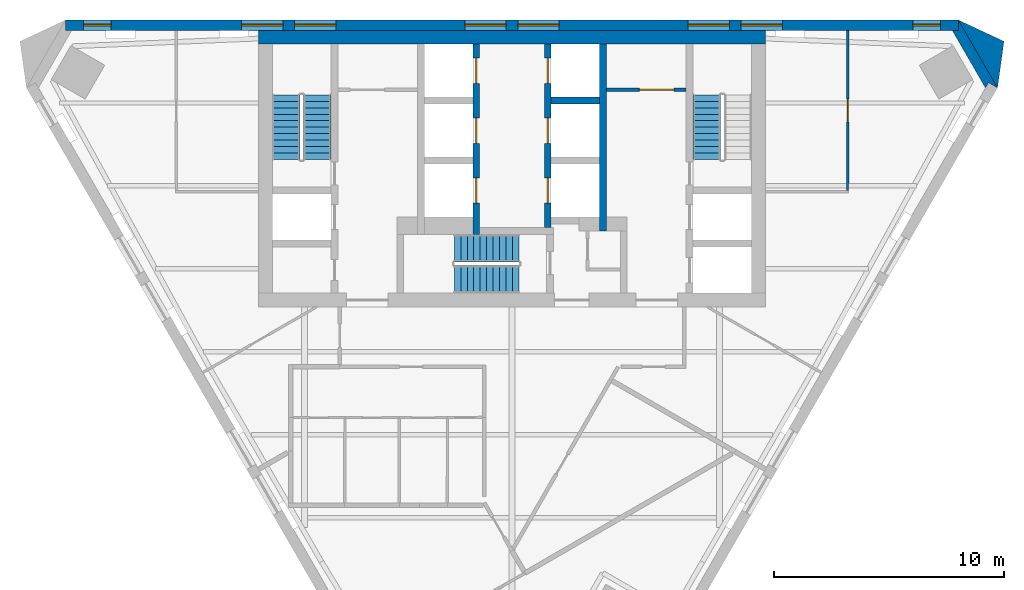
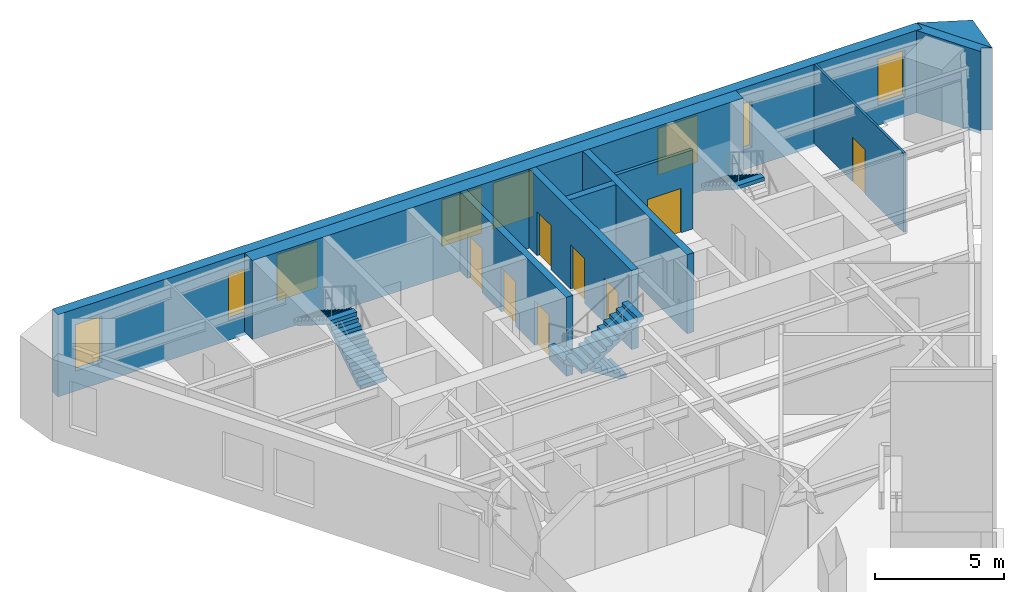
# One storey, part 5 of 7: 10 walls, 8 doors, 8 windows, 5 stair flights, 16 openings, 3 elements without a shape of their own.
"""IFC4 building model written with IfcOpenShell, lengths in metres."""

from ifc_helpers import new_model, si_unit, direction, frame, frame_2d, origin, place, context, subcontext, project, spatial, polyline, rectangle, outline, extrude, material, layer, layer_set, type_object, element, fill, aggregate, save


model = new_model("IFC4")

# Units and contexts
model_context = context("Model", 3, precision=1e-05, world=origin(), true_north=direction((0.0, 1.0)))
body_context = subcontext(model_context, "Body", "Model", "MODEL_VIEW")
ifc_project = project(units=[si_unit("LENGTHUNIT", "METRE"), si_unit("AREAUNIT", "SQUARE_METRE"), si_unit("VOLUMEUNIT", "CUBIC_METRE"), si_unit("PLANEANGLEUNIT", "RADIAN"), si_unit("MASSUNIT", "GRAM", prefix="KILO")], contexts=[model_context])

# Site, building, storey
site_placement = place(None, origin())
site = spatial("IfcSite", under=ifc_project, at=site_placement, CompositionType="ELEMENT")
building_placement = place(site_placement, origin())
building = spatial("IfcBuilding", under=site, at=building_placement, Name="Aloe Facet Convention Tower", CompositionType="ELEMENT")
storey_placement = place(building_placement, frame((0.0, 0.0, 215.300048828125)))
storey = spatial("IfcBuildingStorey", under=building, at=storey_placement, Name="L54", CompositionType="ELEMENT", Elevation=215.300048828125)

# Wall, opening, door
ifc_material_1 = material(Name="Concrete blockwork partition", Category="masonry")
ifc_layer_1 = layer(ifc_material_1, 0.14990234375)
ifc_layer_set_1 = layer_set([ifc_layer_1], Name="CR-W-PART150")
wall_type_1 = type_object("IfcWallType", Name="CR-W-PART150", PredefinedType="PARTITIONING", material=ifc_layer_set_1)
wall_1_placement = place(storey_placement, frame((84.10009765625, 131.97509765625, 0.0), z_axis=(0.0, 0.0, 1.0), x_axis=(1.0, 0.0, 0.0)))
wall_1 = element("IfcWall", 1, at=wall_1_placement, inside=storey, type_object=wall_type_1, Name="Core partition L54-025", PredefinedType="PARTITIONING", context=body_context, shape_type="SweptSolid", body=[
    extrude(rectangle(XDim=3.449951171875, YDim=0.14990234375, at=frame_2d((1.72509765625, 0.0))), origin(), (0.0, 0.0, 1.0), 3.75),
])
opening_1_placement = place(wall_1_placement, frame((1.425048828125, 0.0, 0.0)))
opening_1 = element("IfcOpeningElement", 2, at=opening_1_placement, cuts=wall_1, Name="Opening L54-CD13", PredefinedType="OPENING", context=body_context, shape_type="SweptSolid", body=[
    extrude(rectangle(XDim=1.5, YDim=2.10009765625, at=frame_2d((0.75, 1.050048828125))), frame((0.0, 0.0849609375, 0.0), z_axis=(0.0, -1.0, 0.0), x_axis=(1.0, 0.0, 0.0)), (0.0, 0.0, 1.0), 0.169921875),
])
ifc_material_2 = material(Name="Steel fire-resisting door set FD60", Category="steel")
door_type_1 = type_object("IfcDoorType", Name="CR-D-REFUGE-1500-FD60-DD", OperationType="DOUBLE_DOOR_DOUBLE_SWING", PredefinedType="DOOR", material=ifc_material_2)
door_1_placement = place(opening_1_placement, origin())
door_1 = element("IfcDoor", 3, at=door_1_placement, inside=storey, type_object=door_type_1, Name="Core door L54-CD13", OperationType="DOUBLE_DOOR_DOUBLE_SWING", OverallHeight=2.10009765625, OverallWidth=1.5, PredefinedType="DOOR", context=body_context, shape_type="SweptSolid", body=[
    extrude(rectangle(XDim=1.5, YDim=2.10009765625, at=frame_2d((0.75, 1.050048828125))), frame((0.0, 0.02490234375, 0.0), z_axis=(0.0, -1.0, 0.0), x_axis=(1.0, 0.0, 0.0)), (0.0, 0.0, 1.0), 0.050048828125),
])
fill(opening_1, door_1)

# Wall, openings, doors
ifc_material_3 = material(Name="Concrete C50/60", Category="concrete")
ifc_layer_2 = layer(ifc_material_3, 0.300048828125)
ifc_layer_set_2 = layer_set([ifc_layer_2], Name="CR-W-RC300-C5060")
wall_type_2 = type_object("IfcWallType", Name="CR-W-RC300-C5060", PredefinedType="SOLIDWALL", material=ifc_layer_set_2)
wall_2_placement = place(storey_placement, frame((78.449951171875, 133.949951171875, 0.0), z_axis=(0.0, 0.0, 1.0), x_axis=(0.0, -1.0, 0.0)))
wall_2 = element("IfcWall", 4, at=wall_2_placement, inside=storey, type_object=wall_type_2, Name="Core wall L54-014", PredefinedType="SOLIDWALL", context=body_context, shape_type="SweptSolid", body=[
    extrude(rectangle(XDim=8.25, YDim=0.300048828125, at=frame_2d((4.125, 0.0))), origin(), (0.0, 0.0, 1.0), 3.75),
])
opening_2_placement = place(wall_2_placement, frame((0.60009765625, 0.0, 0.0)))
opening_2 = element("IfcOpeningElement", 5, at=opening_2_placement, cuts=wall_2, Name="Opening LD-B1-L54", PredefinedType="OPENING", context=body_context, shape_type="SweptSolid", body=[
    extrude(rectangle(XDim=1.10009765625, YDim=2.10009765625, at=frame_2d((0.550048828125, 1.050048828125))), frame((0.0, 0.16015625, 0.0), z_axis=(0.0, -1.0, 0.0), x_axis=(1.0, 0.0, 0.0)), (0.0, 0.0, 1.0), 0.320068359375),
])
opening_3_placement = place(wall_2_placement, frame((3.199951171875, 0.0, 0.0)))
opening_3 = element("IfcOpeningElement", 6, at=opening_3_placement, cuts=wall_2, Name="Opening LD-B2-L54", PredefinedType="OPENING", context=body_context, shape_type="SweptSolid", body=[
    extrude(rectangle(XDim=1.10009765625, YDim=2.10009765625, at=frame_2d((0.550048828125, 1.050048828125))), frame((0.0, 0.16015625, 0.0), z_axis=(0.0, -1.0, 0.0), x_axis=(1.0, 0.0, 0.0)), (0.0, 0.0, 1.0), 0.320068359375),
])
opening_4_placement = place(wall_2_placement, frame((5.800048828125, 0.0, 0.0)))
opening_4 = element("IfcOpeningElement", 7, at=opening_4_placement, cuts=wall_2, Name="Opening LD-B3-L54", PredefinedType="OPENING", context=body_context, shape_type="SweptSolid", body=[
    extrude(rectangle(XDim=1.10009765625, YDim=2.10009765625, at=frame_2d((0.550048828125, 1.050048828125))), frame((0.0, 0.16015625, 0.0), z_axis=(0.0, -1.0, 0.0), x_axis=(1.0, 0.0, 0.0)), (0.0, 0.0, 1.0), 0.320068359375),
])
ifc_material_4 = material(Name="Stainless steel sliding landing door", Category="steel")
door_type_2 = type_object("IfcDoorType", Name="CR-LD-1100-FD60-RIGHT", OperationType="SLIDING_TO_RIGHT", PredefinedType="DOOR", material=ifc_material_4)
door_2_placement = place(opening_2_placement, origin())
door_2 = element("IfcDoor", 8, at=door_2_placement, inside=storey, type_object=door_type_2, Name="Landing door B1 L54", OperationType="SLIDING_TO_RIGHT", OverallHeight=2.10009765625, OverallWidth=1.10009765625, PredefinedType="DOOR", context=body_context, shape_type="SweptSolid", body=[
    extrude(rectangle(XDim=1.10009765625, YDim=2.10009765625, at=frame_2d((0.550048828125, 1.050048828125))), frame((0.0, 0.02490234375, 0.0), z_axis=(0.0, -1.0, 0.0), x_axis=(1.0, 0.0, 0.0)), (0.0, 0.0, 1.0), 0.050048828125),
])
fill(opening_2, door_2)
door_3_placement = place(opening_3_placement, origin())
door_3 = element("IfcDoor", 9, at=door_3_placement, inside=storey, type_object=door_type_2, Name="Landing door B2 L54", OperationType="SLIDING_TO_RIGHT", OverallHeight=2.10009765625, OverallWidth=1.10009765625, PredefinedType="DOOR", context=body_context, shape_type="SweptSolid", body=[
    extrude(rectangle(XDim=1.10009765625, YDim=2.10009765625, at=frame_2d((0.550048828125, 1.050048828125))), frame((0.0, 0.02490234375, 0.0), z_axis=(0.0, -1.0, 0.0), x_axis=(1.0, 0.0, 0.0)), (0.0, 0.0, 1.0), 0.050048828125),
])
fill(opening_3, door_3)
door_4_placement = place(opening_4_placement, origin())
door_4 = element("IfcDoor", 10, at=door_4_placement, inside=storey, type_object=door_type_2, Name="Landing door B3 L54", OperationType="SLIDING_TO_RIGHT", OverallHeight=2.10009765625, OverallWidth=1.10009765625, PredefinedType="DOOR", context=body_context, shape_type="SweptSolid", body=[
    extrude(rectangle(XDim=1.10009765625, YDim=2.10009765625, at=frame_2d((0.550048828125, 1.050048828125))), frame((0.0, 0.02490234375, 0.0), z_axis=(0.0, -1.0, 0.0), x_axis=(1.0, 0.0, 0.0)), (0.0, 0.0, 1.0), 0.050048828125),
])
fill(opening_4, door_4)

wall_3_placement = place(storey_placement, frame((81.550048828125, 133.949951171875, 0.0), z_axis=(0.0, 0.0, 1.0), x_axis=(0.0, -1.0, 0.0)))
wall_3 = element("IfcWall", 11, at=wall_3_placement, inside=storey, type_object=wall_type_2, Name="Core wall L54-016", PredefinedType="SOLIDWALL", context=body_context, shape_type="SweptSolid", body=[
    extrude(rectangle(XDim=7.949951171875, YDim=0.300048828125, at=frame_2d((3.97509765625, 0.0))), origin(), (0.0, 0.0, 1.0), 3.75),
])
opening_5_placement = place(wall_3_placement, frame((0.60009765625, 0.0, 0.0)))
opening_5 = element("IfcOpeningElement", 12, at=opening_5_placement, cuts=wall_3, Name="Opening LD-B4-L54", PredefinedType="OPENING", context=body_context, shape_type="SweptSolid", body=[
    extrude(rectangle(XDim=1.10009765625, YDim=2.10009765625, at=frame_2d((0.550048828125, 1.050048828125))), frame((0.0, 0.16015625, 0.0), z_axis=(0.0, -1.0, 0.0), x_axis=(1.0, 0.0, 0.0)), (0.0, 0.0, 1.0), 0.320068359375),
])
opening_6_placement = place(wall_3_placement, frame((3.199951171875, 0.0, 0.0)))
opening_6 = element("IfcOpeningElement", 13, at=opening_6_placement, cuts=wall_3, Name="Opening LD-B5-L54", PredefinedType="OPENING", context=body_context, shape_type="SweptSolid", body=[
    extrude(rectangle(XDim=1.10009765625, YDim=2.10009765625, at=frame_2d((0.550048828125, 1.050048828125))), frame((0.0, 0.16015625, 0.0), z_axis=(0.0, -1.0, 0.0), x_axis=(1.0, 0.0, 0.0)), (0.0, 0.0, 1.0), 0.320068359375),
])
opening_7_placement = place(wall_3_placement, frame((5.800048828125, 0.0, 0.0)))
opening_7 = element("IfcOpeningElement", 14, at=opening_7_placement, cuts=wall_3, Name="Opening LD-B6-L54", PredefinedType="OPENING", context=body_context, shape_type="SweptSolid", body=[
    extrude(rectangle(XDim=1.10009765625, YDim=2.10009765625, at=frame_2d((0.550048828125, 1.050048828125))), frame((0.0, 0.16015625, 0.0), z_axis=(0.0, -1.0, 0.0), x_axis=(1.0, 0.0, 0.0)), (0.0, 0.0, 1.0), 0.320068359375),
])
ifc_material_5 = material(Name="Stainless steel sliding landing door", Category="steel")
door_type_3 = type_object("IfcDoorType", Name="CR-LD-1100-FD60-_LEFT", OperationType="SLIDING_TO_LEFT", PredefinedType="DOOR", material=ifc_material_5)
door_5_placement = place(opening_5_placement, origin())
door_5 = element("IfcDoor", 15, at=door_5_placement, inside=storey, type_object=door_type_3, Name="Landing door B4 L54", OperationType="SLIDING_TO_LEFT", OverallHeight=2.10009765625, OverallWidth=1.10009765625, PredefinedType="DOOR", context=body_context, shape_type="SweptSolid", body=[
    extrude(rectangle(XDim=1.10009765625, YDim=2.10009765625, at=frame_2d((0.550048828125, 1.050048828125))), frame((0.0, 0.02490234375, 0.0), z_axis=(0.0, -1.0, 0.0), x_axis=(1.0, 0.0, 0.0)), (0.0, 0.0, 1.0), 0.050048828125),
])
fill(opening_5, door_5)
door_6_placement = place(opening_6_placement, origin())
door_6 = element("IfcDoor", 16, at=door_6_placement, inside=storey, type_object=door_type_3, Name="Landing door B5 L54", OperationType="SLIDING_TO_LEFT", OverallHeight=2.10009765625, OverallWidth=1.10009765625, PredefinedType="DOOR", context=body_context, shape_type="SweptSolid", body=[
    extrude(rectangle(XDim=1.10009765625, YDim=2.10009765625, at=frame_2d((0.550048828125, 1.050048828125))), frame((0.0, 0.02490234375, 0.0), z_axis=(0.0, -1.0, 0.0), x_axis=(1.0, 0.0, 0.0)), (0.0, 0.0, 1.0), 0.050048828125),
])
fill(opening_6, door_6)
door_7_placement = place(opening_7_placement, origin())
door_7 = element("IfcDoor", 17, at=door_7_placement, inside=storey, type_object=door_type_3, Name="Landing door B6 L54", OperationType="SLIDING_TO_LEFT", OverallHeight=2.10009765625, OverallWidth=1.10009765625, PredefinedType="DOOR", context=body_context, shape_type="SweptSolid", body=[
    extrude(rectangle(XDim=1.10009765625, YDim=2.10009765625, at=frame_2d((0.550048828125, 1.050048828125))), frame((0.0, 0.02490234375, 0.0), z_axis=(0.0, -1.0, 0.0), x_axis=(1.0, 0.0, 0.0)), (0.0, 0.0, 1.0), 0.050048828125),
])
fill(opening_7, door_7)

# Walls
wall_4_placement = place(storey_placement, frame((81.699951171875, 131.5, 0.0), z_axis=(0.0, 0.0, 1.0), x_axis=(1.0, 0.0, 0.0)))
element("IfcWall", 18, at=wall_4_placement, inside=storey, type_object=wall_type_2, Name="Core wall L54-018", PredefinedType="SOLIDWALL", context=body_context, shape_type="SweptSolid", body=[
    extrude(rectangle(XDim=2.10009765625, YDim=0.300048828125, at=frame_2d((1.050048828125, 0.0))), origin(), (0.0, 0.0, 1.0), 3.75),
])
wall_5_placement = place(storey_placement, frame((83.949951171875, 133.949951171875, 0.0), z_axis=(0.0, 0.0, 1.0), x_axis=(0.0, -1.0, 0.0)))
element("IfcWall", 19, at=wall_5_placement, inside=storey, type_object=wall_type_2, Name="Core wall L54-024", PredefinedType="SOLIDWALL", context=body_context, shape_type="SweptSolid", body=[
    extrude(rectangle(XDim=8.099853515625, YDim=0.300048828125, at=frame_2d((4.0498046875, 0.0))), origin(), (0.0, 0.0, 1.0), 3.75),
])
ifc_material_6 = material(Name="Concrete C50/60", Category="concrete")
ifc_layer_3 = layer(ifc_material_6, 0.60009765625)
ifc_layer_set_3 = layer_set([ifc_layer_3], Name="CR-W-RC600-C5060")
wall_type_3 = type_object("IfcWallType", Name="CR-W-RC600-C5060", PredefinedType="SOLIDWALL", material=ifc_layer_set_3)
wall_6_placement = place(storey_placement, frame((69.0, 134.25, 0.0), z_axis=(0.0, 0.0, 1.0), x_axis=(1.0, 0.0, 0.0)))
element("IfcWall", 20, at=wall_6_placement, inside=storey, type_object=wall_type_3, Name="Core wall L54-001", PredefinedType="SOLIDWALL", context=body_context, shape_type="SweptSolid", body=[
    extrude(rectangle(XDim=22.0, YDim=0.60009765625, at=frame_2d((11.0, 0.0))), origin(), (0.0, 0.0, 1.0), 3.75),
])
ifc_material_7 = material(Name="Precast concrete C40/50", Category="concrete")
ifc_layer_4 = layer(ifc_material_7, 0.449951171875)
ifc_layer_set_4 = layer_set([ifc_layer_4], Name="EV-WALL-PIER")
wall_type_4 = type_object("IfcWallType", Name="EV-WALL-PIER", PredefinedType="SOLIDWALL", material=ifc_layer_set_4)
wall_7_placement = place(storey_placement, frame((0.0, 0.0, -0.150146484375)))
element("IfcWall", 21, at=wall_7_placement, inside=storey, type_object=wall_type_4, Name="EP-L54-C", PredefinedType="SOLIDWALL", context=body_context, shape_type="SweptSolid", body=[
    extrude(outline(polyline([(101.064697265625, 132.055419921875), (100.6748046875, 132.280517578125), (100.544921875, 132.055419921875), (99.104736328125, 134.550048828125), (99.364501953125, 134.550048828125), (99.364501953125, 135.0), (101.064697265625, 132.055419921875)])), origin(), (0.0, 0.0, 1.0), 3.900146484375),
])
ifc_material_8 = material(Name="Precast concrete C40/50", Category="concrete")
ifc_layer_5 = layer(ifc_material_8, 3.947998046875)
ifc_layer_set_5 = layer_set([ifc_layer_5], Name="EV-WALL-SPINE")
wall_type_5 = type_object("IfcWallType", Name="EV-WALL-SPINE", PredefinedType="SOLIDWALL", material=ifc_layer_set_5)
wall_8_placement = place(storey_placement, frame((0.0, 0.0, -0.150146484375)))
element("IfcWall", 22, at=wall_8_placement, inside=storey, type_object=wall_type_5, Name="SP-NE-L54", PredefinedType="SOLIDWALL", context=body_context, shape_type="SweptSolid", body=[
    extrude(outline(polyline([(101.064697265625, 132.055419921875), (101.345947265625, 134.0732421875), (99.364501953125, 135.0), (101.064697265625, 132.055419921875)])), origin(), (0.0, 0.0, 1.0), 3.900146484375),
])

# Wall, openings, windows
ifc_material_9 = material(Name="Precast concrete C40/50", Category="concrete")
ifc_layer_6 = layer(ifc_material_9, 0.449951171875)
ifc_layer_set_6 = layer_set([ifc_layer_6], Name="EV-WALL-STONE")
wall_type_6 = type_object("IfcWallType", Name="EV-WALL-STONE", PredefinedType="SOLIDWALL", material=ifc_layer_set_6)
wall_9_placement = place(storey_placement, frame((99.364501953125, 134.77490234375, -0.150146484375), z_axis=(0.0, 0.0, 1.0), x_axis=(-1.0, 0.0, 0.0)))
wall_9 = element("IfcWall", 23, at=wall_9_placement, inside=storey, type_object=wall_type_6, Name="EW-L54-N01", PredefinedType="SOLIDWALL", context=body_context, shape_type="SweptSolid", body=[
    extrude(outline(polyline([(38.729248046875, 0.0), (38.729248046875, 3.900146484375), (0.0, 3.900146484375), (0.0, 0.0), (38.729248046875, 0.0)])), frame((0.0, 0.22509765625, 0.0), z_axis=(0.0, -1.0, 0.0), x_axis=(1.0, 0.0, 0.0)), (0.0, 0.0, 1.0), 0.449951171875),
])
opening_8_placement = place(wall_9_placement, frame((0.776123046875, 0.0, 0.949951171875)))
opening_8 = element("IfcOpeningElement", 24, at=opening_8_placement, cuts=wall_9, Name="Opening W-L54-N01", PredefinedType="OPENING", context=body_context, shape_type="SweptSolid", body=[
    extrude(rectangle(XDim=1.199951171875, YDim=2.199951171875, at=frame_2d((0.60009765625, 1.10009765625))), frame((0.0, 0.23486328125, 0.0), z_axis=(0.0, -1.0, 0.0), x_axis=(1.0, 0.0, 0.0)), (0.0, 0.0, 1.0), 0.469970703125),
])
opening_9_placement = place(wall_9_placement, frame((7.63232421875, 0.0, 0.949951171875)))
opening_9 = element("IfcOpeningElement", 25, at=opening_9_placement, cuts=wall_9, Name="Opening W-L54-N02", PredefinedType="OPENING", context=body_context, shape_type="SweptSolid", body=[
    extrude(rectangle(XDim=1.800048828125, YDim=2.199951171875, at=frame_2d((0.89990234375, 1.10009765625))), frame((0.0, 0.23486328125, 0.0), z_axis=(0.0, -1.0, 0.0), x_axis=(1.0, 0.0, 0.0)), (0.0, 0.0, 1.0), 0.469970703125),
])
opening_10_placement = place(wall_9_placement, frame((9.932373046875, 0.0, 0.949951171875)))
opening_10 = element("IfcOpeningElement", 26, at=opening_10_placement, cuts=wall_9, Name="Opening W-L54-N03", PredefinedType="OPENING", context=body_context, shape_type="SweptSolid", body=[
    extrude(rectangle(XDim=1.800048828125, YDim=2.199951171875, at=frame_2d((0.89990234375, 1.10009765625))), frame((0.0, 0.23486328125, 0.0), z_axis=(0.0, -1.0, 0.0), x_axis=(1.0, 0.0, 0.0)), (0.0, 0.0, 1.0), 0.469970703125),
])
opening_11_placement = place(wall_9_placement, frame((17.314697265625, 0.0, 0.949951171875)))
opening_11 = element("IfcOpeningElement", 27, at=opening_11_placement, cuts=wall_9, Name="Opening W-L54-N04", PredefinedType="OPENING", context=body_context, shape_type="SweptSolid", body=[
    extrude(rectangle(XDim=1.800048828125, YDim=2.199951171875, at=frame_2d((0.89990234375, 1.10009765625))), frame((0.0, 0.23486328125, 0.0), z_axis=(0.0, -1.0, 0.0), x_axis=(1.0, 0.0, 0.0)), (0.0, 0.0, 1.0), 0.469970703125),
])
opening_12_placement = place(wall_9_placement, frame((19.614501953125, 0.0, 0.949951171875)))
opening_12 = element("IfcOpeningElement", 28, at=opening_12_placement, cuts=wall_9, Name="Opening W-L54-N05", PredefinedType="OPENING", context=body_context, shape_type="SweptSolid", body=[
    extrude(rectangle(XDim=1.800048828125, YDim=2.199951171875, at=frame_2d((0.89990234375, 1.10009765625))), frame((0.0, 0.23486328125, 0.0), z_axis=(0.0, -1.0, 0.0), x_axis=(1.0, 0.0, 0.0)), (0.0, 0.0, 1.0), 0.469970703125),
])
opening_13_placement = place(wall_9_placement, frame((26.996826171875, 0.0, 0.949951171875)))
opening_13 = element("IfcOpeningElement", 29, at=opening_13_placement, cuts=wall_9, Name="Opening W-L54-N06", PredefinedType="OPENING", context=body_context, shape_type="SweptSolid", body=[
    extrude(rectangle(XDim=1.800048828125, YDim=2.199951171875, at=frame_2d((0.89990234375, 1.10009765625))), frame((0.0, 0.23486328125, 0.0), z_axis=(0.0, -1.0, 0.0), x_axis=(1.0, 0.0, 0.0)), (0.0, 0.0, 1.0), 0.469970703125),
])
opening_14_placement = place(wall_9_placement, frame((29.296875, 0.0, 0.949951171875)))
opening_14 = element("IfcOpeningElement", 30, at=opening_14_placement, cuts=wall_9, Name="Opening W-L54-N07", PredefinedType="OPENING", context=body_context, shape_type="SweptSolid", body=[
    extrude(rectangle(XDim=1.800048828125, YDim=2.199951171875, at=frame_2d((0.89990234375, 1.10009765625))), frame((0.0, 0.23486328125, 0.0), z_axis=(0.0, -1.0, 0.0), x_axis=(1.0, 0.0, 0.0)), (0.0, 0.0, 1.0), 0.469970703125),
])
opening_15_placement = place(wall_9_placement, frame((36.753173828125, 0.0, 0.949951171875)))
opening_15 = element("IfcOpeningElement", 31, at=opening_15_placement, cuts=wall_9, Name="Opening W-L54-N08", PredefinedType="OPENING", context=body_context, shape_type="SweptSolid", body=[
    extrude(rectangle(XDim=1.199951171875, YDim=2.199951171875, at=frame_2d((0.60009765625, 1.10009765625))), frame((0.0, 0.23486328125, 0.0), z_axis=(0.0, -1.0, 0.0), x_axis=(1.0, 0.0, 0.0)), (0.0, 0.0, 1.0), 0.469970703125),
])
ifc_material_10 = material(Name="Aluminium frame, clear double glazing", Category="aluminium")
window_type_1 = type_object("IfcWindowType", Name="EV-WIN-O12", PartitioningType="SINGLE_PANEL", PredefinedType="WINDOW", material=ifc_material_10)
window_1_placement = place(opening_8_placement, origin())
window_1 = element("IfcWindow", 32, at=window_1_placement, inside=storey, type_object=window_type_1, Name="W-L54-N01", OverallHeight=2.199951171875, OverallWidth=1.199951171875, PartitioningType="SINGLE_PANEL", PredefinedType="WINDOW", context=body_context, shape_type="SweptSolid", body=[
    extrude(rectangle(XDim=1.199951171875, YDim=2.199951171875, at=frame_2d((0.60009765625, 1.10009765625))), frame((0.0, 0.030029296875, 0.0), z_axis=(0.0, -1.0, 0.0), x_axis=(1.0, 0.0, 0.0)), (0.0, 0.0, 1.0), 0.06005859375),
])
fill(opening_8, window_1)
window_2_placement = place(opening_15_placement, origin())
window_2 = element("IfcWindow", 33, at=window_2_placement, inside=storey, type_object=window_type_1, Name="W-L54-N08", OverallHeight=2.199951171875, OverallWidth=1.199951171875, PartitioningType="SINGLE_PANEL", PredefinedType="WINDOW", context=body_context, shape_type="SweptSolid", body=[
    extrude(rectangle(XDim=1.199951171875, YDim=2.199951171875, at=frame_2d((0.60009765625, 1.10009765625))), frame((0.0, 0.030029296875, 0.0), z_axis=(0.0, -1.0, 0.0), x_axis=(1.0, 0.0, 0.0)), (0.0, 0.0, 1.0), 0.06005859375),
])
fill(opening_15, window_2)
ifc_material_11 = material(Name="Aluminium frame, clear double glazing", Category="aluminium")
window_type_2 = type_object("IfcWindowType", Name="EV-WIN-O18", PartitioningType="SINGLE_PANEL", PredefinedType="WINDOW", material=ifc_material_11)
window_3_placement = place(opening_9_placement, origin())
window_3 = element("IfcWindow", 34, at=window_3_placement, inside=storey, type_object=window_type_2, Name="W-L54-N02", OverallHeight=2.199951171875, OverallWidth=1.800048828125, PartitioningType="SINGLE_PANEL", PredefinedType="WINDOW", context=body_context, shape_type="SweptSolid", body=[
    extrude(rectangle(XDim=1.800048828125, YDim=2.199951171875, at=frame_2d((0.89990234375, 1.10009765625))), frame((0.0, 0.030029296875, 0.0), z_axis=(0.0, -1.0, 0.0), x_axis=(1.0, 0.0, 0.0)), (0.0, 0.0, 1.0), 0.06005859375),
])
fill(opening_9, window_3)
window_4_placement = place(opening_10_placement, origin())
window_4 = element("IfcWindow", 35, at=window_4_placement, inside=storey, type_object=window_type_2, Name="W-L54-N03", OverallHeight=2.199951171875, OverallWidth=1.800048828125, PartitioningType="SINGLE_PANEL", PredefinedType="WINDOW", context=body_context, shape_type="SweptSolid", body=[
    extrude(rectangle(XDim=1.800048828125, YDim=2.199951171875, at=frame_2d((0.89990234375, 1.10009765625))), frame((0.0, 0.030029296875, 0.0), z_axis=(0.0, -1.0, 0.0), x_axis=(1.0, 0.0, 0.0)), (0.0, 0.0, 1.0), 0.06005859375),
])
fill(opening_10, window_4)
window_5_placement = place(opening_11_placement, origin())
window_5 = element("IfcWindow", 36, at=window_5_placement, inside=storey, type_object=window_type_2, Name="W-L54-N04", OverallHeight=2.199951171875, OverallWidth=1.800048828125, PartitioningType="SINGLE_PANEL", PredefinedType="WINDOW", context=body_context, shape_type="SweptSolid", body=[
    extrude(rectangle(XDim=1.800048828125, YDim=2.199951171875, at=frame_2d((0.89990234375, 1.10009765625))), frame((0.0, 0.030029296875, 0.0), z_axis=(0.0, -1.0, 0.0), x_axis=(1.0, 0.0, 0.0)), (0.0, 0.0, 1.0), 0.06005859375),
])
fill(opening_11, window_5)
window_6_placement = place(opening_12_placement, origin())
window_6 = element("IfcWindow", 37, at=window_6_placement, inside=storey, type_object=window_type_2, Name="W-L54-N05", OverallHeight=2.199951171875, OverallWidth=1.800048828125, PartitioningType="SINGLE_PANEL", PredefinedType="WINDOW", context=body_context, shape_type="SweptSolid", body=[
    extrude(rectangle(XDim=1.800048828125, YDim=2.199951171875, at=frame_2d((0.89990234375, 1.10009765625))), frame((0.0, 0.030029296875, 0.0), z_axis=(0.0, -1.0, 0.0), x_axis=(1.0, 0.0, 0.0)), (0.0, 0.0, 1.0), 0.06005859375),
])
fill(opening_12, window_6)
window_7_placement = place(opening_13_placement, origin())
window_7 = element("IfcWindow", 38, at=window_7_placement, inside=storey, type_object=window_type_2, Name="W-L54-N06", OverallHeight=2.199951171875, OverallWidth=1.800048828125, PartitioningType="SINGLE_PANEL", PredefinedType="WINDOW", context=body_context, shape_type="SweptSolid", body=[
    extrude(rectangle(XDim=1.800048828125, YDim=2.199951171875, at=frame_2d((0.89990234375, 1.10009765625))), frame((0.0, 0.030029296875, 0.0), z_axis=(0.0, -1.0, 0.0), x_axis=(1.0, 0.0, 0.0)), (0.0, 0.0, 1.0), 0.06005859375),
])
fill(opening_13, window_7)
window_8_placement = place(opening_14_placement, origin())
window_8 = element("IfcWindow", 39, at=window_8_placement, inside=storey, type_object=window_type_2, Name="W-L54-N07", OverallHeight=2.199951171875, OverallWidth=1.800048828125, PartitioningType="SINGLE_PANEL", PredefinedType="WINDOW", context=body_context, shape_type="SweptSolid", body=[
    extrude(rectangle(XDim=1.800048828125, YDim=2.199951171875, at=frame_2d((0.89990234375, 1.10009765625))), frame((0.0, 0.030029296875, 0.0), z_axis=(0.0, -1.0, 0.0), x_axis=(1.0, 0.0, 0.0)), (0.0, 0.0, 1.0), 0.06005859375),
])
fill(opening_14, window_8)

# Wall, opening, door
ifc_material_12 = material(Name="Gypsum board partition on steel studs", Category="steel")
ifc_layer_7 = layer(ifc_material_12, 0.10009765625)
ifc_layer_set_7 = layer_set([ifc_layer_7], Name="IN-W-PART")
wall_type_7 = type_object("IfcWallType", Name="IN-W-PART", PredefinedType="PARTITIONING", material=ifc_layer_set_7)
wall_10_placement = place(storey_placement, frame((94.56005859375, 127.60009765625, 0.0), z_axis=(0.0, 0.0, 1.0), x_axis=(0.000491814737, 0.999999879059, 0.0)))
wall_10 = element("IfcWall", 40, at=wall_10_placement, inside=storey, type_object=wall_type_7, Name="Partition L54-W037", PredefinedType="PARTITIONING", context=body_context, shape_type="SweptSolid", body=[
    extrude(rectangle(XDim=6.94970703125, YDim=0.10009765625, at=frame_2d((3.474853515625, 0.0))), origin(), (0.0, 0.0, 1.0), 3.75),
])
opening_16_placement = place(wall_10_placement, frame((2.974853515625, 0.0, 0.0)))
opening_16 = element("IfcOpeningElement", 41, at=opening_16_placement, cuts=wall_10, Name="Opening L54-006", PredefinedType="OPENING", context=body_context, shape_type="SweptSolid", body=[
    extrude(rectangle(XDim=1.0, YDim=2.10009765625, at=frame_2d((0.5, 1.050048828125))), frame((0.0, 0.06005859375, 0.0), z_axis=(0.0, -1.0, 0.0), x_axis=(1.0, 0.0, 0.0)), (0.0, 0.0, 1.0), 0.1201171875),
])
ifc_material_13 = material(Name="Timber door", Category="wood")
door_type_4 = type_object("IfcDoorType", Name="IN-OFF-D-WIDE", OperationType="SINGLE_SWING_LEFT", PredefinedType="DOOR", material=ifc_material_13)
door_8_placement = place(opening_16_placement, origin())
door_8 = element("IfcDoor", 42, at=door_8_placement, inside=storey, type_object=door_type_4, Name="Door L54-006", OperationType="SINGLE_SWING_LEFT", OverallHeight=2.10009765625, OverallWidth=1.0, PredefinedType="DOOR", context=body_context, shape_type="SweptSolid", body=[
    extrude(rectangle(XDim=1.0, YDim=2.10009765625, at=frame_2d((0.5, 1.050048828125))), frame((0.0, 0.02490234375, 0.0), z_axis=(0.0, -1.0, 0.0), x_axis=(1.0, 0.0, 0.0)), (0.0, 0.0, 1.0), 0.050048828125),
])
fill(opening_16, door_8)

# Stair, stair flights
ifc_material_14 = material(Name="Concrete C50/60", Category="concrete")
stair_type = type_object("IfcStairType", Name="CR-ST-22R", PredefinedType="HALF_TURN_STAIR", material=ifc_material_14)
stair_1_placement = place(storey_placement, origin())
stair_1 = element("IfcStair", 43, at=stair_1_placement, inside=storey, type_object=stair_type, Name="L54 Protected exit stair ST1", PredefinedType="HALF_TURN_STAIR")
ifc_material_15 = material(Name="Concrete C50/60", Category="concrete")
stair_flight_type = type_object("IfcStairFlightType", Name="CR-SFL-22R", PredefinedType="STRAIGHT", material=ifc_material_15)
stair_flight_1_placement = place(storey_placement, frame((71.550048828125, 128.949951171875, 0.0), z_axis=(0.0, 0.0, 1.0), x_axis=(0.0, 1.0, 0.0)))
stair_flight_1 = element("IfcStairFlight", 44, at=stair_flight_1_placement, type_object=stair_flight_type, Name="ST1 flight 1", NumberOfRisers=11, NumberOfTreads=10, PredefinedType="STRAIGHT", RiserHeight=0.177272727, TreadLength=0.28, context=body_context, shape_type="SweptSolid", body=[
    extrude(outline(polyline([(0.0, 0.0), (0.0, 0.17724609375), (0.280029296875, 0.17724609375), (0.280029296875, 0.3544921875), (0.56005859375, 0.3544921875), (0.56005859375, 0.53173828125), (0.840087890625, 0.53173828125), (0.840087890625, 0.708984375), (1.1201171875, 0.708984375), (1.1201171875, 0.886474609375), (1.39990234375, 0.886474609375), (1.39990234375, 1.063720703125), (1.679931640625, 1.063720703125), (1.679931640625, 1.240966796875), (1.9599609375, 1.240966796875), (1.9599609375, 1.418212890625), (2.239990234375, 1.418212890625), (2.239990234375, 1.595458984375), (2.52001953125, 1.595458984375), (2.52001953125, 1.772705078125), (2.800048828125, 1.772705078125), (2.800048828125, 1.949951171875), (2.800048828125, 1.59521484375), (0.2802734375, 0.0), (0.0, 0.0)])), frame((0.0, 0.60009765625, 0.0), z_axis=(0.0, -1.0, 0.0), x_axis=(1.0, 0.0, 0.0)), (0.0, 0.0, 1.0), 1.199951171875),
])
stair_flight_2_placement = place(storey_placement, frame((70.199951171875, 131.75, 1.949951171875), z_axis=(0.0, 0.0, 1.0), x_axis=(0.0, -1.0, 0.0)))
stair_flight_2 = element("IfcStairFlight", 45, at=stair_flight_2_placement, type_object=stair_flight_type, Name="ST1 flight 2", NumberOfRisers=11, NumberOfTreads=10, PredefinedType="STRAIGHT", RiserHeight=0.177272727, TreadLength=0.28, context=body_context, shape_type="SweptSolid", body=[
    extrude(outline(polyline([(0.0, 0.0), (0.0, 0.17724609375), (0.280029296875, 0.17724609375), (0.280029296875, 0.3544921875), (0.56005859375, 0.3544921875), (0.56005859375, 0.53173828125), (0.840087890625, 0.53173828125), (0.840087890625, 0.708984375), (1.1201171875, 0.708984375), (1.1201171875, 0.886474609375), (1.39990234375, 0.886474609375), (1.39990234375, 1.063720703125), (1.679931640625, 1.063720703125), (1.679931640625, 1.240966796875), (1.9599609375, 1.240966796875), (1.9599609375, 1.418212890625), (2.239990234375, 1.418212890625), (2.239990234375, 1.595458984375), (2.52001953125, 1.595458984375), (2.52001953125, 1.772705078125), (2.800048828125, 1.772705078125), (2.800048828125, 1.949951171875), (2.800048828125, 1.59521484375), (0.2802734375, 0.0), (0.0, 0.0)])), frame((0.0, 0.60009765625, 0.0), z_axis=(0.0, -1.0, 0.0), x_axis=(1.0, 0.0, 0.0)), (0.0, 0.0, 1.0), 1.199951171875),
])
aggregate(stair_1, [stair_flight_1, stair_flight_2])

# Stair, stair flight
stair_2_placement = place(storey_placement, origin())
stair_2 = element("IfcStair", 46, at=stair_2_placement, inside=storey, type_object=stair_type, Name="L54 Protected exit stair ST2", PredefinedType="HALF_TURN_STAIR")
stair_flight_3_placement = place(storey_placement, frame((88.449951171875, 131.75, 1.949951171875), z_axis=(0.0, 0.0, 1.0), x_axis=(0.0, -1.0, 0.0)))
stair_flight_3 = element("IfcStairFlight", 47, at=stair_flight_3_placement, type_object=stair_flight_type, Name="ST2 flight 2", NumberOfRisers=11, NumberOfTreads=10, PredefinedType="STRAIGHT", RiserHeight=0.177272727, TreadLength=0.28, context=body_context, shape_type="SweptSolid", body=[
    extrude(outline(polyline([(0.0, 0.0), (0.0, 0.17724609375), (0.280029296875, 0.17724609375), (0.280029296875, 0.3544921875), (0.56005859375, 0.3544921875), (0.56005859375, 0.53173828125), (0.840087890625, 0.53173828125), (0.840087890625, 0.708984375), (1.1201171875, 0.708984375), (1.1201171875, 0.886474609375), (1.39990234375, 0.886474609375), (1.39990234375, 1.063720703125), (1.679931640625, 1.063720703125), (1.679931640625, 1.240966796875), (1.9599609375, 1.240966796875), (1.9599609375, 1.418212890625), (2.239990234375, 1.418212890625), (2.239990234375, 1.595458984375), (2.52001953125, 1.595458984375), (2.52001953125, 1.772705078125), (2.800048828125, 1.772705078125), (2.800048828125, 1.949951171875), (2.800048828125, 1.59521484375), (0.2802734375, 0.0), (0.0, 0.0)])), frame((0.0, 0.60009765625, 0.0), z_axis=(0.0, -1.0, 0.0), x_axis=(1.0, 0.0, 0.0)), (0.0, 0.0, 1.0), 1.199951171875),
])
aggregate(stair_2, [stair_flight_3])

# Stair, stair flights
stair_3_placement = place(storey_placement, origin())
stair_3 = element("IfcStair", 48, at=stair_3_placement, inside=storey, type_object=stair_type, Name="L54 Protected exit stair ST3", PredefinedType="HALF_TURN_STAIR")
stair_flight_4_placement = place(storey_placement, frame((80.300048828125, 125.10009765625, 0.0), z_axis=(0.0, 0.0, 1.0), x_axis=(-1.0, 0.0, 0.0)))
stair_flight_4 = element("IfcStairFlight", 49, at=stair_flight_4_placement, type_object=stair_flight_type, Name="ST3 flight 1", NumberOfRisers=11, NumberOfTreads=10, PredefinedType="STRAIGHT", RiserHeight=0.177272727, TreadLength=0.28, context=body_context, shape_type="SweptSolid", body=[
    extrude(outline(polyline([(0.0, 0.0), (0.0, 0.17724609375), (0.280029296875, 0.17724609375), (0.280029296875, 0.3544921875), (0.56005859375, 0.3544921875), (0.56005859375, 0.53173828125), (0.840087890625, 0.53173828125), (0.840087890625, 0.708984375), (1.1201171875, 0.708984375), (1.1201171875, 0.886474609375), (1.39990234375, 0.886474609375), (1.39990234375, 1.063720703125), (1.679931640625, 1.063720703125), (1.679931640625, 1.240966796875), (1.9599609375, 1.240966796875), (1.9599609375, 1.418212890625), (2.239990234375, 1.418212890625), (2.239990234375, 1.595458984375), (2.52001953125, 1.595458984375), (2.52001953125, 1.772705078125), (2.800048828125, 1.772705078125), (2.800048828125, 1.949951171875), (2.800048828125, 1.59521484375), (0.2802734375, 0.0), (0.0, 0.0)])), frame((0.0, 0.60009765625, 0.0), z_axis=(0.0, -1.0, 0.0), x_axis=(1.0, 0.0, 0.0)), (0.0, 0.0, 1.0), 1.199951171875),
])
stair_flight_5_placement = place(storey_placement, frame((77.5, 123.75, 1.949951171875), z_axis=(0.0, 0.0, 1.0), x_axis=(1.0, 0.0, 0.0)))
stair_flight_5 = element("IfcStairFlight", 50, at=stair_flight_5_placement, type_object=stair_flight_type, Name="ST3 flight 2", NumberOfRisers=11, NumberOfTreads=10, PredefinedType="STRAIGHT", RiserHeight=0.177272727, TreadLength=0.28, context=body_context, shape_type="SweptSolid", body=[
    extrude(outline(polyline([(0.0, 0.0), (0.0, 0.17724609375), (0.280029296875, 0.17724609375), (0.280029296875, 0.3544921875), (0.56005859375, 0.3544921875), (0.56005859375, 0.53173828125), (0.840087890625, 0.53173828125), (0.840087890625, 0.708984375), (1.1201171875, 0.708984375), (1.1201171875, 0.886474609375), (1.39990234375, 0.886474609375), (1.39990234375, 1.063720703125), (1.679931640625, 1.063720703125), (1.679931640625, 1.240966796875), (1.9599609375, 1.240966796875), (1.9599609375, 1.418212890625), (2.239990234375, 1.418212890625), (2.239990234375, 1.595458984375), (2.52001953125, 1.595458984375), (2.52001953125, 1.772705078125), (2.800048828125, 1.772705078125), (2.800048828125, 1.949951171875), (2.800048828125, 1.59521484375), (0.2802734375, 0.0), (0.0, 0.0)])), frame((0.0, 0.60009765625, 0.0), z_axis=(0.0, -1.0, 0.0), x_axis=(1.0, 0.0, 0.0)), (0.0, 0.0, 1.0), 1.199951171875),
])
aggregate(stair_3, [stair_flight_4, stair_flight_5])

save(model, "model.ifc")
